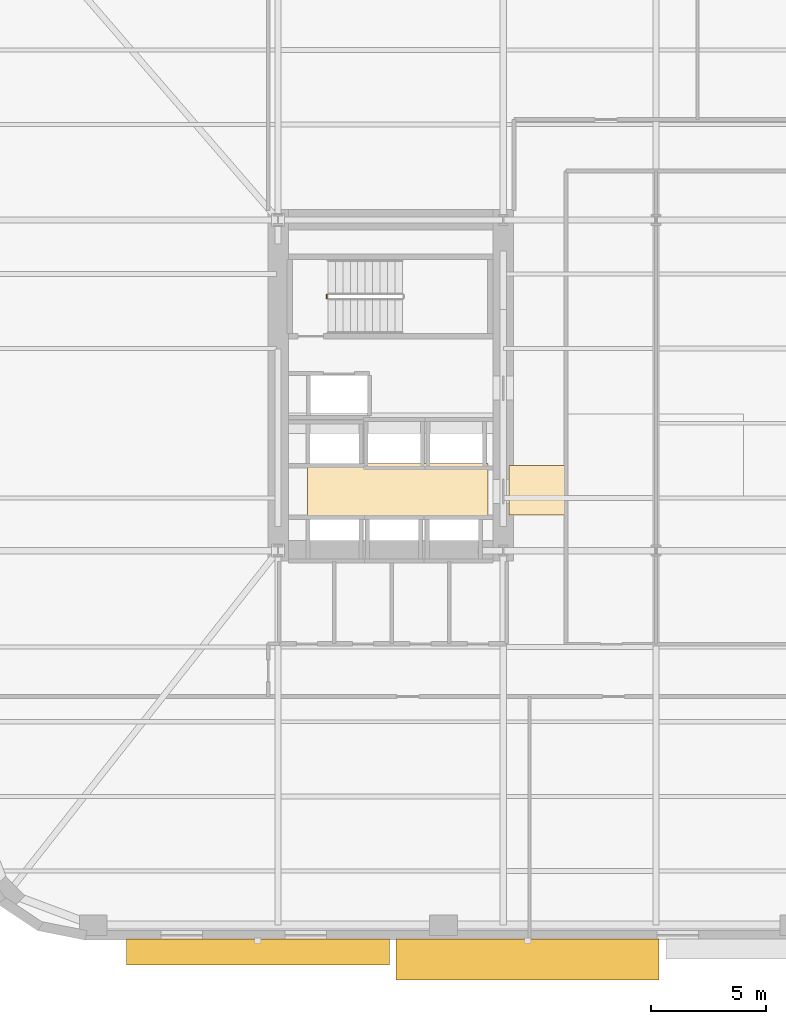
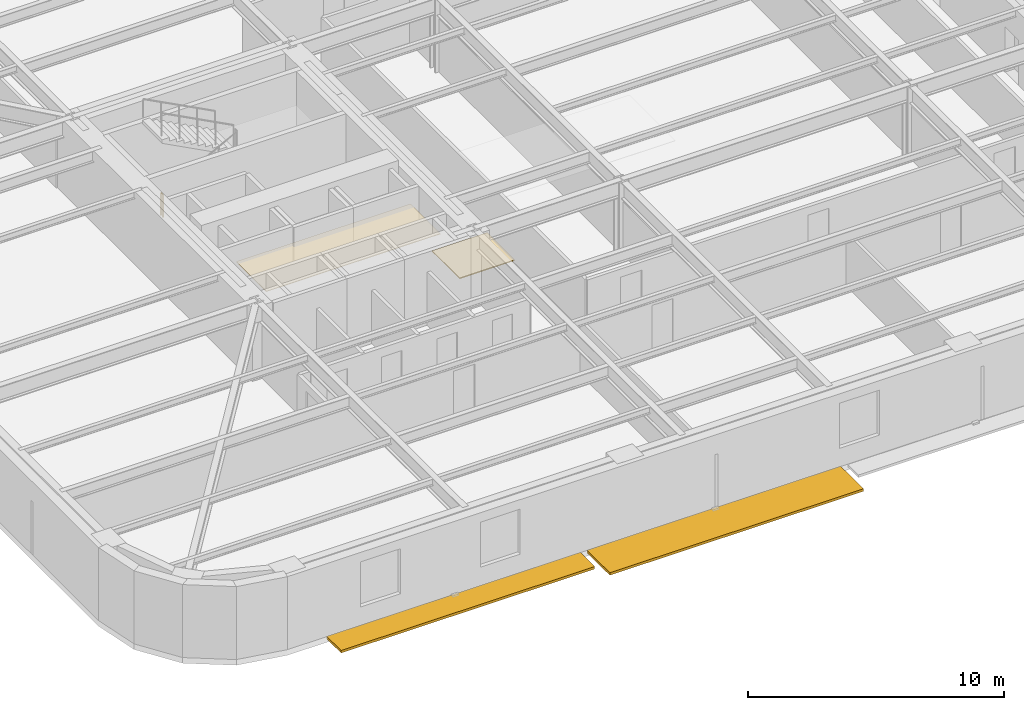
# One storey, part 9 of 15: 2 coverings, 2 shading devices, 1 railing.
"""IFC4 building model written with IfcOpenShell, lengths in metres."""

from ifc_helpers import new_model, si_unit, direction, frame, origin, origin_2d, place, context, subcontext, project, spatial, polyline, rectangle, circle, outline, extrude, material, layer, layer_set, type_object, element, save


model = new_model("IFC4")

# Units and contexts
model_context = context("Model", 3, precision=1e-05, world=origin(), true_north=direction((0.0, 1.0)))
body_context = subcontext(model_context, "Body", "Model", "MODEL_VIEW")
ifc_project = project(units=[si_unit("LENGTHUNIT", "METRE"), si_unit("AREAUNIT", "SQUARE_METRE"), si_unit("VOLUMEUNIT", "CUBIC_METRE"), si_unit("PLANEANGLEUNIT", "RADIAN"), si_unit("MASSUNIT", "GRAM", prefix="KILO")], contexts=[model_context])

# Site, building, storey
site_placement = place(None, origin())
site = spatial("IfcSite", under=ifc_project, at=site_placement, CompositionType="ELEMENT")
building_placement = place(site_placement, origin())
building = spatial("IfcBuilding", under=site, at=building_placement, Name="Kolvaren Arena Tower", CompositionType="ELEMENT")
storey_placement = place(building_placement, frame((0.0, 0.0, 64.5)))
storey = spatial("IfcBuildingStorey", under=building, at=storey_placement, Name="L13", CompositionType="ELEMENT", Elevation=64.5)

# Coverings
ifc_material_1 = material(Name="Moisture-resistant gypsum ceiling", Category="gypsum")
ifc_layer_1 = layer(ifc_material_1, 0.030029296875)
ifc_layer_set_1 = layer_set([ifc_layer_1], Name="Moisture-resistant gypsum ceiling")
covering_type_1 = type_object("IfcCoveringType", Name="CEIL-GYP-1", PredefinedType="CEILING", material=ifc_layer_set_1)
covering_1_placement = place(storey_placement, frame((0.0, 0.0, 2.52001953125)))
element("IfcCovering", 1, at=covering_1_placement, inside=storey, type_object=covering_type_1, Name="Suspended Ceiling (L13)", PredefinedType="CEILING", context=body_context, shape_type="SweptSolid", body=[
    extrude(outline(polyline([(15.820068359375, 20.89990234375), (15.820068359375, 23.239990234375), (23.679931640625, 23.239990234375), (23.679931640625, 20.89990234375), (15.820068359375, 20.89990234375)])), origin(), (0.0, 0.0, 1.0), 0.030029296875),
])
ifc_material_2 = material(Name="Raised access office floor finish", Category="aluminium")
ifc_layer_2 = layer(ifc_material_2, 0.044921875)
ifc_layer_set_2 = layer_set([ifc_layer_2], Name="Raised access office floor finish")
covering_type_2 = type_object("IfcCoveringType", Name="FLOR-RAF-1", PredefinedType="FLOORING", material=ifc_layer_set_2)
covering_2_placement = place(storey_placement, origin())
element("IfcCovering", 2, at=covering_2_placement, inside=storey, type_object=covering_type_2, Name="Floor Finish (L13)", PredefinedType="FLOORING", context=body_context, shape_type="SweptSolid", body=[
    extrude(outline(polyline([(24.60009765625, 21.0), (24.60009765625, 23.14990234375), (27.080078125, 23.14990234375), (27.080078125, 21.0), (24.60009765625, 21.0)])), origin(), (0.0, 0.0, 1.0), 0.044921875),
])

# Railing
ifc_material_3 = material(Name="Painted galvanized steel", Category="steel")
railing_type = type_object("IfcRailingType", Name="GUARD-ST-110", PredefinedType="GUARDRAIL", material=ifc_material_3)
railing_placement = place(storey_placement, frame((16.669921875, 30.43994140625, 0.0)))
element("IfcRailing", 3, at=railing_placement, inside=storey, type_object=railing_type, Name="L13 ST-W1 stair guard 4", PredefinedType="GUARDRAIL", context=body_context, shape_type="SweptSolid", body=[
    extrude(circle(Radius=0.02392578125, at=origin_2d()), frame((0.0, 0.0, 1.076171875), z_axis=(0.0, 1.0, 0.0), x_axis=(-1.0, 0.0, 0.0)), (0.0, 0.0, 1.0), 0.150146484375),
    extrude(circle(Radius=0.02099609375, at=origin_2d()), origin(), (0.0, 0.0, 1.0), 1.052001953125),
    extrude(circle(Radius=0.02099609375, at=origin_2d()), frame((0.0, 0.150146484375, 0.0)), (0.0, 0.0, 1.0), 1.052001953125),
])

# Shading devices
ifc_material_4 = material(Name="Architectural precast GFRC and anodised aluminium sunshade", Category="concrete")
shading_device_type_1 = type_object("IfcShadingDeviceType", Name="SHAD-SINE-A", PredefinedType="USERDEFINED", material=ifc_material_4)
shading_device_1_placement = place(storey_placement, frame((13.669921875, 1.98681640625, -0.14013671875), z_axis=(0.0, 0.0, 1.0), x_axis=(-1.0, 0.0, 0.0)))
element("IfcShadingDevice", 4, at=shading_device_1_placement, inside=storey, type_object=shading_device_type_1, Name="Sinusoidal Slab-Edge Sunshade Louvre (L13)", ObjectType="LOUVRE", PredefinedType="USERDEFINED", context=body_context, shape_type="SweptSolid", body=[
    extrude(rectangle(XDim=11.43994140625, YDim=1.126220703125, at=origin_2d()), origin(), (0.0, 0.0, 1.0), 0.1201171875),
])
shading_device_type_2 = type_object("IfcShadingDeviceType", Name="SHAD-SINE-B", PredefinedType="JALOUSIE", material=ifc_material_4)
shading_device_2_placement = place(storey_placement, frame((25.409912109375, 1.655517578125, -0.14013671875), z_axis=(0.0, 0.0, 1.0), x_axis=(-1.0, 0.0, 0.0)))
element("IfcShadingDevice", 5, at=shading_device_2_placement, inside=storey, type_object=shading_device_type_2, Name="Sinusoidal Slab-Edge Sunshade Louvre (L13)", PredefinedType="JALOUSIE", context=body_context, shape_type="SweptSolid", body=[
    extrude(rectangle(XDim=11.43994140625, YDim=1.789306640625, at=origin_2d()), origin(), (0.0, 0.0, 1.0), 0.1201171875),
])

save(model, "model.ifc")
